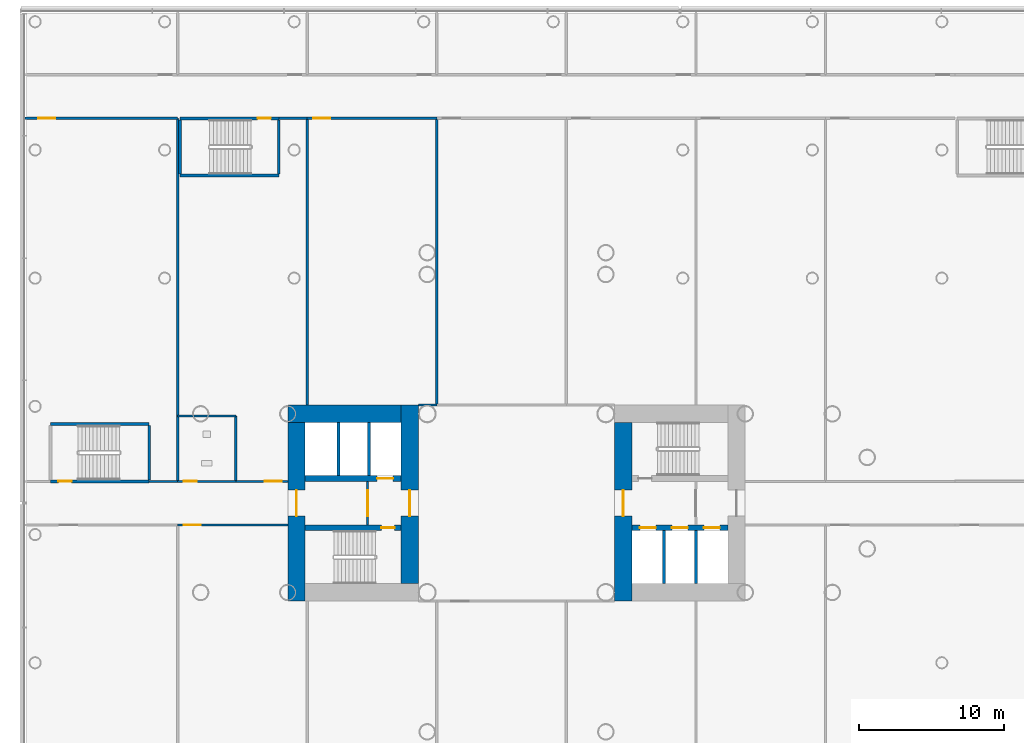
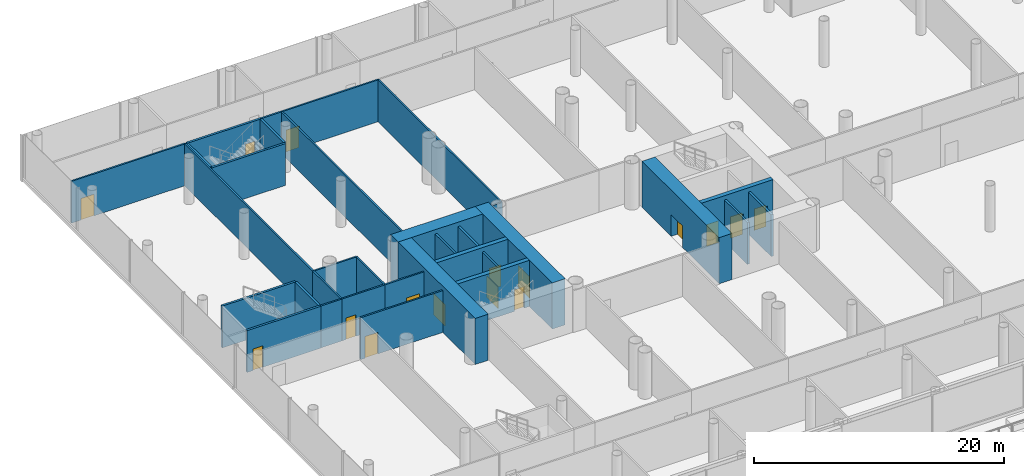
# One storey, part 18 of 51: 33 walls, 16 doors, 16 openings.
"""IFC4 building model written with IfcOpenShell, lengths in metres."""

from ifc_helpers import new_model, si_unit, direction, frame, frame_2d, origin, place, context, subcontext, project, spatial, rectangle, extrude, material, layer, layer_set, type_object, element, fill, save


model = new_model("IFC4")

# Units and contexts
model_context = context("Model", 3, precision=1e-05, world=origin(), true_north=direction((0.0, 1.0)))
body_context = subcontext(model_context, "Body", "Model", "MODEL_VIEW")
ifc_project = project(units=[si_unit("LENGTHUNIT", "METRE"), si_unit("AREAUNIT", "SQUARE_METRE"), si_unit("VOLUMEUNIT", "CUBIC_METRE"), si_unit("PLANEANGLEUNIT", "RADIAN"), si_unit("MASSUNIT", "GRAM", prefix="KILO")], contexts=[model_context])

# Site, building, storey
site_placement = place(None, origin())
site = spatial("IfcSite", under=ifc_project, at=site_placement, CompositionType="ELEMENT")
building_placement = place(site_placement, origin())
building = spatial("IfcBuilding", under=site, at=building_placement, Name="Ipe Terrace Towers", CompositionType="ELEMENT")
storey_placement = place(building_placement, frame((0.0, 0.0, 15.5)))
storey = spatial("IfcBuildingStorey", under=building, at=storey_placement, Name="L03", CompositionType="ELEMENT", Elevation=15.5)

# Wall, opening, door
ifc_material_1 = material(Name="Gypsum board partition", Category="plasterboard")
ifc_layer_1 = layer(ifc_material_1, 0.14990234375)
ifc_layer_set_1 = layer_set([ifc_layer_1], Name="Gypsum board partition 150 mm")
wall_type_1 = type_object("IfcWallType", Name="Gypsum board partition 150 mm", PredefinedType="PARTITIONING", material=ifc_layer_set_1)
wall_1_placement = place(storey_placement, frame((-46.25, 1.5, 0.0), z_axis=(0.0, 0.0, 1.0), x_axis=(0.0, -1.0, 0.0)))
wall_1 = element("IfcWall", 1, at=wall_1_placement, inside=storey, type_object=wall_type_1, Name="Gypsum board partition T1 L03 t1c2-lobby-wall", PredefinedType="PARTITIONING", context=body_context, shape_type="SweptSolid", body=[
    extrude(rectangle(XDim=3.0, YDim=0.14990234375, at=frame_2d((1.5, 0.0))), origin(), (0.0, 0.0, 1.0), 4.080078125),
])
opening_1_placement = place(wall_1_placement, frame((0.60009765625, 0.0, 0.0)))
opening_1 = element("IfcOpeningElement", 2, at=opening_1_placement, cuts=wall_1, Name="Opening T1C2-VD", PredefinedType="OPENING", context=body_context, shape_type="SweptSolid", body=[
    extrude(rectangle(XDim=1.800048828125, YDim=2.10009765625, at=frame_2d((0.89990234375, 1.050048828125))), frame((0.0, 0.0849609375, 0.0), z_axis=(0.0, -1.0, 0.0), x_axis=(1.0, 0.0, 0.0)), (0.0, 0.0, 1.0), 0.169921875),
])
ifc_material_2 = material(Name="Fire-rated timber door leaf", Category="wood")
door_type_1 = type_object("IfcDoorType", Name="Lobby door 1800 x 2100 FD60", OperationType="NOTDEFINED", PredefinedType="DOOR", material=ifc_material_2)
door_1_placement = place(opening_1_placement, origin())
door_1 = element("IfcDoor", 3, at=door_1_placement, inside=storey, type_object=door_type_1, Name="Lobby door T1C2-VD", OperationType="SINGLE_SWING_LEFT", OverallHeight=2.10009765625, OverallWidth=1.800048828125, PredefinedType="DOOR", context=body_context, shape_type="SweptSolid", body=[
    extrude(rectangle(XDim=1.800048828125, YDim=2.10009765625, at=frame_2d((0.89990234375, 1.050048828125))), frame((0.0, 0.02490234375, 0.0), z_axis=(0.0, -1.0, 0.0), x_axis=(1.0, 0.0, 0.0)), (0.0, 0.0, 1.0), 0.050048828125),
])
fill(opening_1, door_1)

# Wall
wall_2_placement = place(storey_placement, frame((-59.330078125, 1.5, 0.0), z_axis=(0.0, 0.0, 1.0), x_axis=(-1.0, 0.0, 0.0)))
element("IfcWall", 4, at=wall_2_placement, inside=storey, type_object=wall_type_1, Name="Gypsum board partition T1 L03 pd-r2-w5", PredefinedType="PARTITIONING", context=body_context, shape_type="SweptSolid", body=[
    extrude(rectangle(XDim=1.9599609375, YDim=0.14990234375, at=frame_2d((0.97998046875, 0.0))), origin(), (0.0, 0.0, 1.0), 4.080078125),
])

# Wall, opening, door
wall_3_placement = place(storey_placement, frame((-69.85009765625, 26.5, 0.0), z_axis=(0.0, 0.0, 1.0), x_axis=(1.0, 0.0, 0.0)))
wall_3 = element("IfcWall", 5, at=wall_3_placement, inside=storey, type_object=wall_type_1, Name="Gypsum board partition T1 L03 pd-r2-w7", PredefinedType="PARTITIONING", context=body_context, shape_type="SweptSolid", body=[
    extrude(rectangle(XDim=10.52001953125, YDim=0.14990234375, at=frame_2d((5.260009765625, 0.0))), origin(), (0.0, 0.0, 1.0), 4.080078125),
])
opening_2_placement = place(wall_3_placement, frame((0.89990234375, 0.0, 0.0)))
opening_2 = element("IfcOpeningElement", 6, at=opening_2_placement, cuts=wall_3, Name="Opening PD-L03-r2", PredefinedType="OPENING", context=body_context, shape_type="SweptSolid", body=[
    extrude(rectangle(XDim=1.199951171875, YDim=2.10009765625, at=frame_2d((0.60009765625, 1.050048828125))), frame((0.0, 0.0849609375, 0.0), z_axis=(0.0, -1.0, 0.0), x_axis=(1.0, 0.0, 0.0)), (0.0, 0.0, 1.0), 0.169921875),
])
ifc_material_3 = material(Name="Fire-rated timber door leaf", Category="wood")
door_type_2 = type_object("IfcDoorType", Name="Lounge door 1200 x 2100 FD30S", OperationType="NOTDEFINED", PredefinedType="DOOR", material=ifc_material_3)
door_2_placement = place(opening_2_placement, origin())
door_2 = element("IfcDoor", 7, at=door_2_placement, inside=storey, type_object=door_type_2, Name="Lounge door PD-L03-r2", OperationType="SINGLE_SWING_RIGHT", OverallHeight=2.10009765625, OverallWidth=1.199951171875, PredefinedType="DOOR", context=body_context, shape_type="SweptSolid", body=[
    extrude(rectangle(XDim=1.199951171875, YDim=2.10009765625, at=frame_2d((0.60009765625, 1.050048828125))), frame((0.0, 0.02490234375, 0.0), z_axis=(0.0, -1.0, 0.0), x_axis=(1.0, 0.0, 0.0)), (0.0, 0.0, 1.0), 0.050048828125),
])
fill(opening_2, door_2)

# Wall
wall_4_placement = place(storey_placement, frame((-59.330078125, 26.5, 0.0), z_axis=(0.0, 0.0, 1.0), x_axis=(0.0, -1.0, 0.0)))
element("IfcWall", 8, at=wall_4_placement, inside=storey, type_object=wall_type_1, Name="Gypsum board partition T1 L03 pd-r2-r7-w8", PredefinedType="PARTITIONING", context=body_context, shape_type="SweptSolid", body=[
    extrude(rectangle(XDim=20.5, YDim=0.14990234375, at=frame_2d((10.25, 0.0))), origin(), (0.0, 0.0, 1.0), 4.080078125),
])

# Wall, opening, door
wall_5_placement = place(storey_placement, frame((-59.330078125, -1.5, 0.0), z_axis=(0.0, 0.0, 1.0), x_axis=(1.0, 0.0, 0.0)))
wall_5 = element("IfcWall", 9, at=wall_5_placement, inside=storey, type_object=wall_type_1, Name="Gypsum board partition T1 L03 pd-r5-w13", PredefinedType="PARTITIONING", context=body_context, shape_type="SweptSolid", body=[
    extrude(rectangle(XDim=7.580078125, YDim=0.14990234375, at=frame_2d((3.7900390625, 0.0))), origin(), (0.0, 0.0, 1.0), 4.080078125),
])
opening_3_placement = place(wall_5_placement, frame((0.39990234375, 0.0, 0.0)))
opening_3 = element("IfcOpeningElement", 10, at=opening_3_placement, cuts=wall_5, Name="Opening PD-L03-r5", PredefinedType="OPENING", context=body_context, shape_type="SweptSolid", body=[
    extrude(rectangle(XDim=1.199951171875, YDim=2.10009765625, at=frame_2d((0.60009765625, 1.050048828125))), frame((0.0, 0.0849609375, 0.0), z_axis=(0.0, -1.0, 0.0), x_axis=(1.0, 0.0, 0.0)), (0.0, 0.0, 1.0), 0.169921875),
])
door_3_placement = place(opening_3_placement, origin())
door_3 = element("IfcDoor", 11, at=door_3_placement, inside=storey, type_object=door_type_2, Name="Lounge door PD-L03-r5", OperationType="SINGLE_SWING_RIGHT", OverallHeight=2.10009765625, OverallWidth=1.199951171875, PredefinedType="DOOR", context=body_context, shape_type="SweptSolid", body=[
    extrude(rectangle(XDim=1.199951171875, YDim=2.10009765625, at=frame_2d((0.60009765625, 1.050048828125))), frame((0.0, 0.02490234375, 0.0), z_axis=(0.0, -1.0, 0.0), x_axis=(1.0, 0.0, 0.0)), (0.0, 0.0, 1.0), 0.050048828125),
])
fill(opening_3, door_3)

wall_6_placement = place(storey_placement, frame((-51.75, 1.5, 0.0), z_axis=(0.0, 0.0, 1.0), x_axis=(-1.0, 0.0, 0.0)))
wall_6 = element("IfcWall", 12, at=wall_6_placement, inside=storey, type_object=wall_type_1, Name="Gypsum board partition T1 L03 pd-r7-w17", PredefinedType="PARTITIONING", context=body_context, shape_type="SweptSolid", body=[
    extrude(rectangle(XDim=3.580078125, YDim=0.14990234375, at=frame_2d((1.7900390625, 0.0))), origin(), (0.0, 0.0, 1.0), 4.080078125),
])
opening_4_placement = place(wall_6_placement, frame((0.39990234375, 0.0, 0.0)))
opening_4 = element("IfcOpeningElement", 13, at=opening_4_placement, cuts=wall_6, Name="Opening PD-L03-r7", PredefinedType="OPENING", context=body_context, shape_type="SweptSolid", body=[
    extrude(rectangle(XDim=1.199951171875, YDim=2.10009765625, at=frame_2d((0.60009765625, 1.050048828125))), frame((0.0, 0.0849609375, 0.0), z_axis=(0.0, -1.0, 0.0), x_axis=(1.0, 0.0, 0.0)), (0.0, 0.0, 1.0), 0.169921875),
])
door_4_placement = place(opening_4_placement, origin())
door_4 = element("IfcDoor", 14, at=door_4_placement, inside=storey, type_object=door_type_2, Name="Lounge door PD-L03-r7", OperationType="SINGLE_SWING_RIGHT", OverallHeight=2.10009765625, OverallWidth=1.199951171875, PredefinedType="DOOR", context=body_context, shape_type="SweptSolid", body=[
    extrude(rectangle(XDim=1.199951171875, YDim=2.10009765625, at=frame_2d((0.60009765625, 1.050048828125))), frame((0.0, 0.02490234375, 0.0), z_axis=(0.0, -1.0, 0.0), x_axis=(1.0, 0.0, 0.0)), (0.0, 0.0, 1.0), 0.050048828125),
])
fill(opening_4, door_4)

# Wall
wall_7_placement = place(storey_placement, frame((-52.3701171875, 26.5, 0.0), z_axis=(0.0, 0.0, 1.0), x_axis=(1.0, 0.0, 0.0)))
element("IfcWall", 15, at=wall_7_placement, inside=storey, type_object=wall_type_1, Name="Gypsum board partition T1 L03 pd-r7-w18", PredefinedType="PARTITIONING", context=body_context, shape_type="SweptSolid", body=[
    extrude(rectangle(XDim=1.960205078125, YDim=0.14990234375, at=frame_2d((0.97998046875, 0.0))), origin(), (0.0, 0.0, 1.0), 4.080078125),
])

# Wall, opening, door
wall_8_placement = place(storey_placement, frame((-50.409912109375, 26.5, 0.0), z_axis=(0.0, 0.0, 1.0), x_axis=(1.0, 0.0, 0.0)))
wall_8 = element("IfcWall", 16, at=wall_8_placement, inside=storey, type_object=wall_type_1, Name="Gypsum board partition T1 L03 pd-r11-w25", PredefinedType="PARTITIONING", context=body_context, shape_type="SweptSolid", body=[
    extrude(rectangle(XDim=8.919921875, YDim=0.14990234375, at=frame_2d((4.4599609375, 0.0))), origin(), (0.0, 0.0, 1.0), 4.080078125),
])
opening_5_placement = place(wall_8_placement, frame((0.39990234375, 0.0, 0.0)))
opening_5 = element("IfcOpeningElement", 17, at=opening_5_placement, cuts=wall_8, Name="Opening PD-L03-r11", PredefinedType="OPENING", context=body_context, shape_type="SweptSolid", body=[
    extrude(rectangle(XDim=1.199951171875, YDim=2.10009765625, at=frame_2d((0.60009765625, 1.050048828125))), frame((0.0, 0.0849609375, 0.0), z_axis=(0.0, -1.0, 0.0), x_axis=(1.0, 0.0, 0.0)), (0.0, 0.0, 1.0), 0.169921875),
])
door_5_placement = place(opening_5_placement, origin())
door_5 = element("IfcDoor", 18, at=door_5_placement, inside=storey, type_object=door_type_2, Name="Lounge door PD-L03-r11", OperationType="SINGLE_SWING_RIGHT", OverallHeight=2.10009765625, OverallWidth=1.199951171875, PredefinedType="DOOR", context=body_context, shape_type="SweptSolid", body=[
    extrude(rectangle(XDim=1.199951171875, YDim=2.10009765625, at=frame_2d((0.60009765625, 1.050048828125))), frame((0.0, 0.02490234375, 0.0), z_axis=(0.0, -1.0, 0.0), x_axis=(1.0, 0.0, 0.0)), (0.0, 0.0, 1.0), 0.050048828125),
])
fill(opening_5, door_5)

# Walls
wall_9_placement = place(storey_placement, frame((-41.489990234375, 6.75, 0.0), z_axis=(0.0, 0.0, 1.0), x_axis=(-1.0, 0.0, 0.0)))
element("IfcWall", 19, at=wall_9_placement, inside=storey, type_object=wall_type_1, Name="Gypsum board partition T1 L03 pd-r11-w26", PredefinedType="PARTITIONING", context=body_context, shape_type="SweptSolid", body=[
    extrude(rectangle(XDim=1.260009765625, YDim=0.14990234375, at=frame_2d((0.6298828125, 0.0))), origin(), (0.0, 0.0, 1.0), 4.080078125),
])
for number, where, z_axis, x_axis, name in (
    (20, (-50.409912109375, 6.75, 0.0), (0.0, 0.0, 1.0), (0.0, 1.0, 0.0), "Gypsum board partition T1 L03 pd-r11-r7-w27"),
    (21, (-41.489990234375, 26.5, 0.0), (0.0, 0.0, 1.0), (0.0, -1.0, 0.0), "Gypsum board partition T1 L03 pd-r11-r14-w28"),
):
    element("IfcWall", number, at=place(storey_placement, frame(where, z_axis=z_axis, x_axis=x_axis)), inside=storey, type_object=wall_type_1, Name=name, PredefinedType="PARTITIONING", context=body_context, shape_type="SweptSolid", body=[
        extrude(rectangle(XDim=19.75, YDim=0.14990234375, at=frame_2d((9.875, 0.0))), origin(), (0.0, 0.0, 1.0), 4.080078125),
    ])

# Wall, opening, door
wall_10_placement = place(storey_placement, frame((-59.330078125, 1.5, 0.0), z_axis=(0.0, 0.0, 1.0), x_axis=(1.0, 0.0, 0.0)))
wall_10 = element("IfcWall", 22, at=wall_10_placement, inside=storey, type_object=wall_type_1, Name="Gypsum board partition T1 L03 pd-c0-w67", PredefinedType="PARTITIONING", context=body_context, shape_type="SweptSolid", body=[
    extrude(rectangle(XDim=4.0, YDim=0.14990234375, at=frame_2d((2.0, 0.0))), origin(), (0.0, 0.0, 1.0), 4.080078125),
])
opening_6_placement = place(wall_10_placement, frame((0.39990234375, 0.0, 0.0)))
opening_6 = element("IfcOpeningElement", 23, at=opening_6_placement, cuts=wall_10, Name="Opening PD-L03-c0", PredefinedType="OPENING", context=body_context, shape_type="SweptSolid", body=[
    extrude(rectangle(XDim=0.89990234375, YDim=2.10009765625, at=frame_2d((0.449951171875, 1.050048828125))), frame((0.0, 0.0849609375, 0.0), z_axis=(0.0, -1.0, 0.0), x_axis=(1.0, 0.0, 0.0)), (0.0, 0.0, 1.0), 0.169921875),
])
ifc_material_4 = material(Name="Fire-rated timber door leaf", Category="wood")
door_type_3 = type_object("IfcDoorType", Name="Lounge door 900 x 2100 FD30S", OperationType="NOTDEFINED", PredefinedType="DOOR", material=ifc_material_4)
door_6_placement = place(opening_6_placement, origin())
door_6 = element("IfcDoor", 24, at=door_6_placement, inside=storey, type_object=door_type_3, Name="Lounge door PD-L03-c0", OperationType="SINGLE_SWING_LEFT", OverallHeight=2.10009765625, OverallWidth=0.89990234375, PredefinedType="DOOR", context=body_context, shape_type="SweptSolid", body=[
    extrude(rectangle(XDim=0.89990234375, YDim=2.10009765625, at=frame_2d((0.449951171875, 1.050048828125))), frame((0.0, 0.02490234375, 0.0), z_axis=(0.0, -1.0, 0.0), x_axis=(1.0, 0.0, 0.0)), (0.0, 0.0, 1.0), 0.050048828125),
])
fill(opening_6, door_6)

# Walls
for number, where, z_axis, x_axis, name in (
    (25, (-59.330078125, 6.0, 0.0), (0.0, 0.0, 1.0), (0.0, -1.0, 0.0), "Gypsum board partition T1 L03 pd-c0-r2-w68"),
    (26, (-55.330078125, 1.5, 0.0), (0.0, 0.0, 1.0), (0.0, 1.0, 0.0), "Gypsum board partition T1 L03 pd-c0-r7-w69"),
):
    element("IfcWall", number, at=place(storey_placement, frame(where, z_axis=z_axis, x_axis=x_axis)), inside=storey, type_object=wall_type_1, Name=name, PredefinedType="PARTITIONING", context=body_context, shape_type="SweptSolid", body=[
        extrude(rectangle(XDim=4.5, YDim=0.14990234375, at=frame_2d((2.25, 0.0))), origin(), (0.0, 0.0, 1.0), 4.080078125),
    ])
wall_11_placement = place(storey_placement, frame((-55.330078125, 6.0, 0.0), z_axis=(0.0, 0.0, 1.0), x_axis=(-1.0, 0.0, 0.0)))
element("IfcWall", 27, at=wall_11_placement, inside=storey, type_object=wall_type_1, Name="Gypsum board partition T1 L03 pd-c0-r7-w70", PredefinedType="PARTITIONING", context=body_context, shape_type="SweptSolid", body=[
    extrude(rectangle(XDim=4.0, YDim=0.14990234375, at=frame_2d((2.0, 0.0))), origin(), (0.0, 0.0, 1.0), 4.080078125),
])
ifc_material_5 = material(Name="Gypsum board party wall", Category="plasterboard")
ifc_layer_2 = layer(ifc_material_5, 0.199951171875)
ifc_layer_set_2 = layer_set([ifc_layer_2], Name="Gypsum board party wall 200 mm")
wall_type_2 = type_object("IfcWallType", Name="Gypsum board party wall 200 mm", PredefinedType="SOLIDWALL", material=ifc_layer_set_2)
for number, where, z_axis, x_axis, name in (
    (28, (-25.85009765625, -5.550048828125, 0.0), (0.0, 0.0, 1.0), (0.0, 1.0, 0.0), "Gypsum board party wall T1 L03 t1c1-shaft-div1"),
    (29, (-23.64990234375, -5.550048828125, 0.0), (0.0, 0.0, 1.0), (0.0, 1.0, 0.0), "Gypsum board party wall T1 L03 t1c1-shaft-div2"),
    (30, (-46.14990234375, 5.550048828125, 0.0), (0.0, 0.0, 1.0), (0.0, -1.0, 0.0), "Gypsum board party wall T1 L03 t1c2-shaft-div1"),
    (31, (-48.25, 5.550048828125, 0.0), (0.0, 0.0, 1.0), (0.0, -1.0, 0.0), "Gypsum board party wall T1 L03 t1c2-shaft-div2"),
):
    element("IfcWall", number, at=place(storey_placement, frame(where, z_axis=z_axis, x_axis=x_axis)), inside=storey, type_object=wall_type_2, Name=name, PredefinedType="SOLIDWALL", context=body_context, shape_type="SweptSolid", body=[
        extrude(rectangle(XDim=3.650146484375, YDim=0.199951171875, at=frame_2d((1.8251953125, 0.0))), origin(), (0.0, 0.0, 1.0), 4.080078125),
    ])

# Wall, opening, door
ifc_material_6 = material(Name="Concrete C60/75", Category="concrete")
ifc_layer_3 = layer(ifc_material_6, 1.199951171875)
ifc_layer_set_3 = layer_set([ifc_layer_3], Name="RW1200 CORE WALL 1200 C60-75")
wall_type_3 = type_object("IfcWallType", Name="RW1200 CORE WALL 1200 C60-75", PredefinedType="SHEAR", material=ifc_layer_set_3)
wall_12_placement = place(storey_placement, frame((-28.64990234375, 5.550048828125, 0.0), z_axis=(0.0, 0.0, 1.0), x_axis=(0.0, -1.0, 0.0)))
wall_12 = element("IfcWall", 32, at=wall_12_placement, inside=storey, type_object=wall_type_3, Name="Core wall T1-C1-P-W04", PredefinedType="SHEAR", context=body_context, shape_type="SweptSolid", body=[
    extrude(rectangle(XDim=12.300048828125, YDim=1.199951171875, at=frame_2d((6.14990234375, 0.0))), origin(), (0.0, 0.0, 1.0), 4.5),
])
opening_7_placement = place(wall_12_placement, frame((4.64990234375, 0.0, 0.0)))
opening_7 = element("IfcOpeningElement", 33, at=opening_7_placement, cuts=wall_12, Name="Opening T1C1-ND", PredefinedType="OPENING", context=body_context, shape_type="SweptSolid", body=[
    extrude(rectangle(XDim=1.800048828125, YDim=2.10009765625, at=frame_2d((0.89990234375, 1.050048828125))), frame((0.0, 0.60986328125, 0.0), z_axis=(0.0, -1.0, 0.0), x_axis=(1.0, 0.0, 0.0)), (0.0, 0.0, 1.0), 1.219970703125),
])
ifc_material_7 = material(Name="Fire-rated timber door leaf", Category="wood")
door_type_4 = type_object("IfcDoorType", Name="Fire door 1800 x 2100 FD30S", OperationType="NOTDEFINED", PredefinedType="DOOR", material=ifc_material_7)
door_7_placement = place(opening_7_placement, origin())
door_7 = element("IfcDoor", 34, at=door_7_placement, inside=storey, type_object=door_type_4, Name="Fire door T1C1-ND", OperationType="SINGLE_SWING_LEFT", OverallHeight=2.10009765625, OverallWidth=1.800048828125, PredefinedType="DOOR", context=body_context, shape_type="SweptSolid", body=[
    extrude(rectangle(XDim=1.800048828125, YDim=2.10009765625, at=frame_2d((0.89990234375, 1.050048828125))), frame((0.0, 0.02490234375, 0.0), z_axis=(0.0, -1.0, 0.0), x_axis=(1.0, 0.0, 0.0)), (0.0, 0.0, 1.0), 0.050048828125),
])
fill(opening_7, door_7)

wall_13_placement = place(storey_placement, frame((-43.35009765625, -5.550048828125, 0.0), z_axis=(0.0, 0.0, 1.0), x_axis=(0.0, 1.0, 0.0)))
wall_13 = element("IfcWall", 35, at=wall_13_placement, inside=storey, type_object=wall_type_3, Name="Core wall T1-C2-P-W02", PredefinedType="SHEAR", context=body_context, shape_type="SweptSolid", body=[
    extrude(rectangle(XDim=12.300048828125, YDim=1.199951171875, at=frame_2d((6.14990234375, 0.0))), origin(), (0.0, 0.0, 1.0), 4.5),
])
opening_8_placement = place(wall_13_placement, frame((4.64990234375, 0.0, 0.0)))
opening_8 = element("IfcOpeningElement", 36, at=opening_8_placement, cuts=wall_13, Name="Opening T1C2-ND", PredefinedType="OPENING", context=body_context, shape_type="SweptSolid", body=[
    extrude(rectangle(XDim=1.800048828125, YDim=2.10009765625, at=frame_2d((0.89990234375, 1.050048828125))), frame((0.0, 0.60986328125, 0.0), z_axis=(0.0, -1.0, 0.0), x_axis=(1.0, 0.0, 0.0)), (0.0, 0.0, 1.0), 1.219970703125),
])
door_8_placement = place(opening_8_placement, origin())
door_8 = element("IfcDoor", 37, at=door_8_placement, inside=storey, type_object=door_type_4, Name="Fire door T1C2-ND", OperationType="SINGLE_SWING_LEFT", OverallHeight=2.10009765625, OverallWidth=1.800048828125, PredefinedType="DOOR", context=body_context, shape_type="SweptSolid", body=[
    extrude(rectangle(XDim=1.800048828125, YDim=2.10009765625, at=frame_2d((0.89990234375, 1.050048828125))), frame((0.0, 0.02490234375, 0.0), z_axis=(0.0, -1.0, 0.0), x_axis=(1.0, 0.0, 0.0)), (0.0, 0.0, 1.0), 0.050048828125),
])
fill(opening_8, door_8)

# Wall
wall_14_placement = place(storey_placement, frame((-43.949951171875, 6.14990234375, 0.0), z_axis=(0.0, 0.0, 1.0), x_axis=(-1.0, 0.0, 0.0)))
element("IfcWall", 38, at=wall_14_placement, inside=storey, type_object=wall_type_3, Name="Core wall T1-C2-P-W03", PredefinedType="SHEAR", context=body_context, shape_type="SweptSolid", body=[
    extrude(rectangle(XDim=7.800048828125, YDim=1.199951171875, at=frame_2d((3.89990234375, 0.0))), origin(), (0.0, 0.0, 1.0), 4.5),
])

# Wall, opening, door
wall_15_placement = place(storey_placement, frame((-51.14990234375, 5.550048828125, 0.0), z_axis=(0.0, 0.0, 1.0), x_axis=(0.0, -1.0, 0.0)))
wall_15 = element("IfcWall", 39, at=wall_15_placement, inside=storey, type_object=wall_type_3, Name="Core wall T1-C2-P-W04", PredefinedType="SHEAR", context=body_context, shape_type="SweptSolid", body=[
    extrude(rectangle(XDim=12.300048828125, YDim=1.199951171875, at=frame_2d((6.14990234375, 0.0))), origin(), (0.0, 0.0, 1.0), 4.5),
])
opening_9_placement = place(wall_15_placement, frame((4.64990234375, 0.0, 0.0)))
opening_9 = element("IfcOpeningElement", 40, at=opening_9_placement, cuts=wall_15, Name="Opening T1C2-FD", PredefinedType="OPENING", context=body_context, shape_type="SweptSolid", body=[
    extrude(rectangle(XDim=1.800048828125, YDim=2.10009765625, at=frame_2d((0.89990234375, 1.050048828125))), frame((0.0, 0.60986328125, 0.0), z_axis=(0.0, -1.0, 0.0), x_axis=(1.0, 0.0, 0.0)), (0.0, 0.0, 1.0), 1.219970703125),
])
door_9_placement = place(opening_9_placement, origin())
door_9 = element("IfcDoor", 41, at=door_9_placement, inside=storey, type_object=door_type_4, Name="Fire door T1C2-FD", OperationType="SINGLE_SWING_LEFT", OverallHeight=2.10009765625, OverallWidth=1.800048828125, PredefinedType="DOOR", context=body_context, shape_type="SweptSolid", body=[
    extrude(rectangle(XDim=1.800048828125, YDim=2.10009765625, at=frame_2d((0.89990234375, 1.050048828125))), frame((0.0, 0.02490234375, 0.0), z_axis=(0.0, -1.0, 0.0), x_axis=(1.0, 0.0, 0.0)), (0.0, 0.0, 1.0), 0.050048828125),
])
fill(opening_9, door_9)

ifc_material_8 = material(Name="Concrete C40/50", Category="concrete")
ifc_layer_4 = layer(ifc_material_8, 0.199951171875)
ifc_layer_set_4 = layer_set([ifc_layer_4], Name="RW200 PODIUM STAIR SHAFT WALL 200 C40-50")
wall_type_4 = type_object("IfcWallType", Name="RW200 PODIUM STAIR SHAFT WALL 200 C40-50", PredefinedType="SHEAR", material=ifc_layer_set_4)
wall_16_placement = place(storey_placement, frame((-59.169921875, 26.5, 0.0), z_axis=(0.0, 0.0, 1.0), x_axis=(1.0, 0.0, 0.0)))
wall_16 = element("IfcWall", 42, at=wall_16_placement, inside=storey, type_object=wall_type_4, Name="Stair shaft wall T1 L03 ps1-c", PredefinedType="SHEAR", context=body_context, shape_type="SweptSolid", body=[
    extrude(rectangle(XDim=6.7998046875, YDim=0.199951171875, at=frame_2d((3.39990234375, 0.0))), origin(), (0.0, 0.0, 1.0), 4.080078125),
])
opening_10_placement = place(wall_16_placement, frame((5.35009765625, 0.0, 0.0)))
opening_10 = element("IfcOpeningElement", 43, at=opening_10_placement, cuts=wall_16, Name="Opening PS1-SD", PredefinedType="OPENING", context=body_context, shape_type="SweptSolid", body=[
    extrude(rectangle(XDim=0.89990234375, YDim=2.10009765625, at=frame_2d((0.449951171875, 1.050048828125))), frame((0.0, 0.10986328125, 0.0), z_axis=(0.0, -1.0, 0.0), x_axis=(1.0, 0.0, 0.0)), (0.0, 0.0, 1.0), 0.219970703125),
])
ifc_material_9 = material(Name="Fire-rated timber door leaf", Category="wood")
door_type_5 = type_object("IfcDoorType", Name="Stair door 900 x 2100 FD60", OperationType="NOTDEFINED", PredefinedType="DOOR", material=ifc_material_9)
door_10_placement = place(opening_10_placement, origin())
door_10 = element("IfcDoor", 44, at=door_10_placement, inside=storey, type_object=door_type_5, Name="Stair door PS1-SD", OperationType="SINGLE_SWING_LEFT", OverallHeight=2.10009765625, OverallWidth=0.89990234375, PredefinedType="DOOR", context=body_context, shape_type="SweptSolid", body=[
    extrude(rectangle(XDim=0.89990234375, YDim=2.10009765625, at=frame_2d((0.449951171875, 1.050048828125))), frame((0.0, 0.02490234375, 0.0), z_axis=(0.0, -1.0, 0.0), x_axis=(1.0, 0.0, 0.0)), (0.0, 0.0, 1.0), 0.050048828125),
])
fill(opening_10, door_10)

# Walls
wall_17_placement = place(storey_placement, frame((-59.169921875, 22.550048828125, 0.0), z_axis=(0.0, 0.0, 1.0), x_axis=(1.0, 0.0, 0.0)))
element("IfcWall", 45, at=wall_17_placement, inside=storey, type_object=wall_type_4, Name="Stair shaft wall T1 L03 ps1-f", PredefinedType="SHEAR", context=body_context, shape_type="SweptSolid", body=[
    extrude(rectangle(XDim=6.7998046875, YDim=0.199951171875, at=frame_2d((3.39990234375, 0.0))), origin(), (0.0, 0.0, 1.0), 4.080078125),
])
for number, where, z_axis, x_axis, name in (
    (46, (-59.169921875, 22.64990234375, 0.0), (0.0, 0.0, 1.0), (0.0, 1.0, 0.0), "Stair shaft wall T1 L03 ps1-w"),
    (47, (-52.3701171875, 22.64990234375, 0.0), (0.0, 0.0, 1.0), (0.0, 1.0, 0.0), "Stair shaft wall T1 L03 ps1-e"),
):
    element("IfcWall", number, at=place(storey_placement, frame(where, z_axis=z_axis, x_axis=x_axis)), inside=storey, type_object=wall_type_4, Name=name, PredefinedType="SHEAR", context=body_context, shape_type="SweptSolid", body=[
        extrude(rectangle(XDim=3.75, YDim=0.199951171875, at=frame_2d((1.875, 0.0))), origin(), (0.0, 0.0, 1.0), 4.080078125),
    ])

# Wall, opening, door
wall_18_placement = place(storey_placement, frame((-68.090087890625, 1.5, 0.0), z_axis=(0.0, 0.0, 1.0), x_axis=(1.0, 0.0, 0.0)))
wall_18 = element("IfcWall", 48, at=wall_18_placement, inside=storey, type_object=wall_type_4, Name="Stair shaft wall T1 L03 ps7-c", PredefinedType="SHEAR", context=body_context, shape_type="SweptSolid", body=[
    extrude(rectangle(XDim=6.800048828125, YDim=0.199951171875, at=frame_2d((3.39990234375, 0.0))), origin(), (0.0, 0.0, 1.0), 4.080078125),
])
opening_11_placement = place(wall_18_placement, frame((0.550048828125, 0.0, 0.0)))
opening_11 = element("IfcOpeningElement", 49, at=opening_11_placement, cuts=wall_18, Name="Opening PS7-SD", PredefinedType="OPENING", context=body_context, shape_type="SweptSolid", body=[
    extrude(rectangle(XDim=0.89990234375, YDim=2.10009765625, at=frame_2d((0.449951171875, 1.050048828125))), frame((0.0, 0.10986328125, 0.0), z_axis=(0.0, -1.0, 0.0), x_axis=(1.0, 0.0, 0.0)), (0.0, 0.0, 1.0), 0.219970703125),
])
door_11_placement = place(opening_11_placement, origin())
door_11 = element("IfcDoor", 50, at=door_11_placement, inside=storey, type_object=door_type_5, Name="Stair door PS7-SD", OperationType="SINGLE_SWING_RIGHT", OverallHeight=2.10009765625, OverallWidth=0.89990234375, PredefinedType="DOOR", context=body_context, shape_type="SweptSolid", body=[
    extrude(rectangle(XDim=0.89990234375, YDim=2.10009765625, at=frame_2d((0.449951171875, 1.050048828125))), frame((0.0, 0.02490234375, 0.0), z_axis=(0.0, -1.0, 0.0), x_axis=(1.0, 0.0, 0.0)), (0.0, 0.0, 1.0), 0.050048828125),
])
fill(opening_11, door_11)

# Walls
wall_19_placement = place(storey_placement, frame((-68.090087890625, 5.449951171875, 0.0), z_axis=(0.0, 0.0, 1.0), x_axis=(1.0, 0.0, 0.0)))
element("IfcWall", 51, at=wall_19_placement, inside=storey, type_object=wall_type_4, Name="Stair shaft wall T1 L03 ps7-f", PredefinedType="SHEAR", context=body_context, shape_type="SweptSolid", body=[
    extrude(rectangle(XDim=6.800048828125, YDim=0.199951171875, at=frame_2d((3.39990234375, 0.0))), origin(), (0.0, 0.0, 1.0), 4.080078125),
])
wall_20_placement = place(storey_placement, frame((-61.2900390625, 1.60009765625, 0.0), z_axis=(0.0, 0.0, 1.0), x_axis=(0.0, 1.0, 0.0)))
element("IfcWall", 52, at=wall_20_placement, inside=storey, type_object=wall_type_4, Name="Stair shaft wall T1 L03 ps7-e", PredefinedType="SHEAR", context=body_context, shape_type="SweptSolid", body=[
    extrude(rectangle(XDim=3.75, YDim=0.199951171875, at=frame_2d((1.875, 0.0))), origin(), (0.0, 0.0, 1.0), 4.080078125),
])

# Wall, openings, doors
ifc_material_10 = material(Name="Concrete C60/75", Category="concrete")
ifc_layer_5 = layer(ifc_material_10, 0.39990234375)
ifc_layer_set_5 = layer_set([ifc_layer_5], Name="RW400 CORE SPINE WALL 400 C60-75")
wall_type_5 = type_object("IfcWallType", Name="RW400 CORE SPINE WALL 400 C60-75", PredefinedType="SHEAR", material=ifc_layer_set_5)
wall_21_placement = place(storey_placement, frame((-28.050048828125, -1.699951171875, 0.0), z_axis=(0.0, 0.0, 1.0), x_axis=(1.0, 0.0, 0.0)))
wall_21 = element("IfcWall", 53, at=wall_21_placement, inside=storey, type_object=wall_type_5, Name="Core spine wall T1-C1-P-SW1", PredefinedType="SHEAR", context=body_context, shape_type="SweptSolid", body=[
    extrude(rectangle(XDim=6.60009765625, YDim=0.39990234375, at=frame_2d((3.300048828125, 0.0))), origin(), (0.0, 0.0, 1.0), 4.5),
])
opening_12_placement = place(wall_21_placement, frame((0.550048828125, 0.0, 0.0)))
opening_12 = element("IfcOpeningElement", 54, at=opening_12_placement, cuts=wall_21, Name="Opening T1C1-LD1", PredefinedType="OPENING", context=body_context, shape_type="SweptSolid", body=[
    extrude(rectangle(XDim=1.10009765625, YDim=2.10009765625, at=frame_2d((0.550048828125, 1.050048828125))), frame((0.0, 0.2099609375, 0.0), z_axis=(0.0, -1.0, 0.0), x_axis=(1.0, 0.0, 0.0)), (0.0, 0.0, 1.0), 0.419921875),
])
opening_13_placement = place(wall_21_placement, frame((2.75, 0.0, 0.0)))
opening_13 = element("IfcOpeningElement", 55, at=opening_13_placement, cuts=wall_21, Name="Opening T1C1-LD2", PredefinedType="OPENING", context=body_context, shape_type="SweptSolid", body=[
    extrude(rectangle(XDim=1.10009765625, YDim=2.10009765625, at=frame_2d((0.550048828125, 1.050048828125))), frame((0.0, 0.2099609375, 0.0), z_axis=(0.0, -1.0, 0.0), x_axis=(1.0, 0.0, 0.0)), (0.0, 0.0, 1.0), 0.419921875),
])
opening_14_placement = place(wall_21_placement, frame((4.949951171875, 0.0, 0.0)))
opening_14 = element("IfcOpeningElement", 56, at=opening_14_placement, cuts=wall_21, Name="Opening T1C1-LD3", PredefinedType="OPENING", context=body_context, shape_type="SweptSolid", body=[
    extrude(rectangle(XDim=1.10009765625, YDim=2.10009765625, at=frame_2d((0.550048828125, 1.050048828125))), frame((0.0, 0.2099609375, 0.0), z_axis=(0.0, -1.0, 0.0), x_axis=(1.0, 0.0, 0.0)), (0.0, 0.0, 1.0), 0.419921875),
])
ifc_material_11 = material(Name="Fire-rated timber door leaf", Category="wood")
door_type_6 = type_object("IfcDoorType", Name="Sliding door 1100 x 2100 FD60", OperationType="SLIDING_TO_LEFT", PredefinedType="DOOR", material=ifc_material_11)
door_12_placement = place(opening_12_placement, origin())
door_12 = element("IfcDoor", 57, at=door_12_placement, inside=storey, type_object=door_type_6, Name="Sliding door T1C1-LD1", OperationType="SLIDING_TO_LEFT", OverallHeight=2.10009765625, OverallWidth=1.10009765625, PredefinedType="DOOR", context=body_context, shape_type="SweptSolid", body=[
    extrude(rectangle(XDim=1.10009765625, YDim=2.10009765625, at=frame_2d((0.550048828125, 1.050048828125))), frame((0.0, 0.02490234375, 0.0), z_axis=(0.0, -1.0, 0.0), x_axis=(1.0, 0.0, 0.0)), (0.0, 0.0, 1.0), 0.050048828125),
])
fill(opening_12, door_12)
door_13_placement = place(opening_13_placement, origin())
door_13 = element("IfcDoor", 58, at=door_13_placement, inside=storey, type_object=door_type_6, Name="Sliding door T1C1-LD2", OperationType="SLIDING_TO_LEFT", OverallHeight=2.10009765625, OverallWidth=1.10009765625, PredefinedType="DOOR", context=body_context, shape_type="SweptSolid", body=[
    extrude(rectangle(XDim=1.10009765625, YDim=2.10009765625, at=frame_2d((0.550048828125, 1.050048828125))), frame((0.0, 0.02490234375, 0.0), z_axis=(0.0, -1.0, 0.0), x_axis=(1.0, 0.0, 0.0)), (0.0, 0.0, 1.0), 0.050048828125),
])
fill(opening_13, door_13)
door_14_placement = place(opening_14_placement, origin())
door_14 = element("IfcDoor", 59, at=door_14_placement, inside=storey, type_object=door_type_6, Name="Sliding door T1C1-LD3", OperationType="SLIDING_TO_LEFT", OverallHeight=2.10009765625, OverallWidth=1.10009765625, PredefinedType="DOOR", context=body_context, shape_type="SweptSolid", body=[
    extrude(rectangle(XDim=1.10009765625, YDim=2.10009765625, at=frame_2d((0.550048828125, 1.050048828125))), frame((0.0, 0.02490234375, 0.0), z_axis=(0.0, -1.0, 0.0), x_axis=(1.0, 0.0, 0.0)), (0.0, 0.0, 1.0), 0.050048828125),
])
fill(opening_14, door_14)

# Wall, opening, door
wall_22_placement = place(storey_placement, frame((-50.550048828125, -1.699951171875, 0.0), z_axis=(0.0, 0.0, 1.0), x_axis=(1.0, 0.0, 0.0)))
wall_22 = element("IfcWall", 60, at=wall_22_placement, inside=storey, type_object=wall_type_5, Name="Core spine wall T1-C2-P-SW1", PredefinedType="SHEAR", context=body_context, shape_type="SweptSolid", body=[
    extrude(rectangle(XDim=6.60009765625, YDim=0.39990234375, at=frame_2d((3.300048828125, 0.0))), origin(), (0.0, 0.0, 1.0), 4.5),
])
opening_15_placement = place(wall_22_placement, frame((5.25, 0.0, 0.0)))
opening_15 = element("IfcOpeningElement", 61, at=opening_15_placement, cuts=wall_22, Name="Opening T1C2-SD", PredefinedType="OPENING", context=body_context, shape_type="SweptSolid", body=[
    extrude(rectangle(XDim=0.89990234375, YDim=2.10009765625, at=frame_2d((0.449951171875, 1.050048828125))), frame((0.0, 0.2099609375, 0.0), z_axis=(0.0, -1.0, 0.0), x_axis=(1.0, 0.0, 0.0)), (0.0, 0.0, 1.0), 0.419921875),
])
door_15_placement = place(opening_15_placement, origin())
door_15 = element("IfcDoor", 62, at=door_15_placement, inside=storey, type_object=door_type_5, Name="Stair door T1C2-SD", OperationType="SINGLE_SWING_RIGHT", OverallHeight=2.10009765625, OverallWidth=0.89990234375, PredefinedType="DOOR", context=body_context, shape_type="SweptSolid", body=[
    extrude(rectangle(XDim=0.89990234375, YDim=2.10009765625, at=frame_2d((0.449951171875, 1.050048828125))), frame((0.0, 0.02490234375, 0.0), z_axis=(0.0, -1.0, 0.0), x_axis=(1.0, 0.0, 0.0)), (0.0, 0.0, 1.0), 0.050048828125),
])
fill(opening_15, door_15)

wall_23_placement = place(storey_placement, frame((-50.550048828125, 1.699951171875, 0.0), z_axis=(0.0, 0.0, 1.0), x_axis=(1.0, 0.0, 0.0)))
wall_23 = element("IfcWall", 63, at=wall_23_placement, inside=storey, type_object=wall_type_5, Name="Core spine wall T1-C2-P-SW2", PredefinedType="SHEAR", context=body_context, shape_type="SweptSolid", body=[
    extrude(rectangle(XDim=6.60009765625, YDim=0.39990234375, at=frame_2d((3.300048828125, 0.0))), origin(), (0.0, 0.0, 1.0), 4.5),
])
opening_16_placement = place(wall_23_placement, frame((4.949951171875, 0.0, 0.0)))
opening_16 = element("IfcOpeningElement", 64, at=opening_16_placement, cuts=wall_23, Name="Opening T1C2-LD1", PredefinedType="OPENING", context=body_context, shape_type="SweptSolid", body=[
    extrude(rectangle(XDim=1.10009765625, YDim=2.10009765625, at=frame_2d((0.550048828125, 1.050048828125))), frame((0.0, 0.2099609375, 0.0), z_axis=(0.0, -1.0, 0.0), x_axis=(1.0, 0.0, 0.0)), (0.0, 0.0, 1.0), 0.419921875),
])
door_16_placement = place(opening_16_placement, origin())
door_16 = element("IfcDoor", 65, at=door_16_placement, inside=storey, type_object=door_type_6, Name="Sliding door T1C2-LD1", OperationType="SLIDING_TO_LEFT", OverallHeight=2.10009765625, OverallWidth=1.10009765625, PredefinedType="DOOR", context=body_context, shape_type="SweptSolid", body=[
    extrude(rectangle(XDim=1.10009765625, YDim=2.10009765625, at=frame_2d((0.550048828125, 1.050048828125))), frame((0.0, 0.02490234375, 0.0), z_axis=(0.0, -1.0, 0.0), x_axis=(1.0, 0.0, 0.0)), (0.0, 0.0, 1.0), 0.050048828125),
])
fill(opening_16, door_16)

save(model, "model.ifc")
